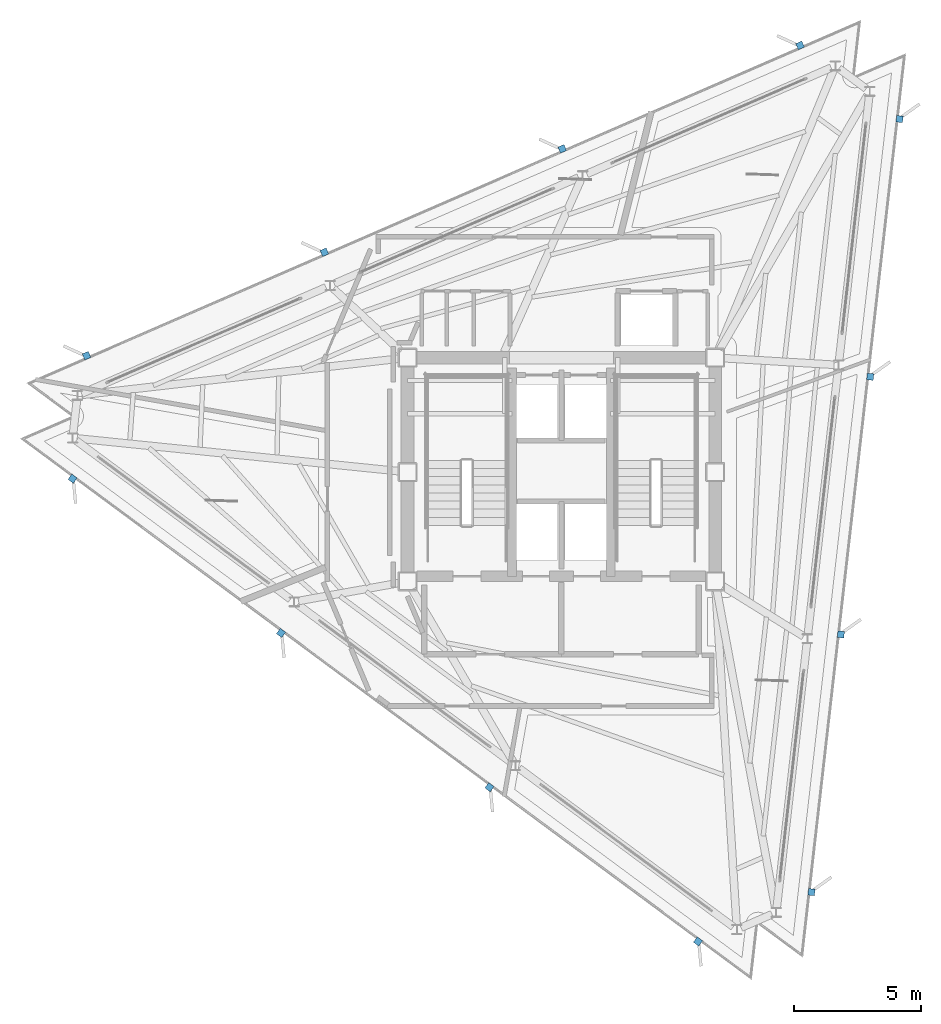
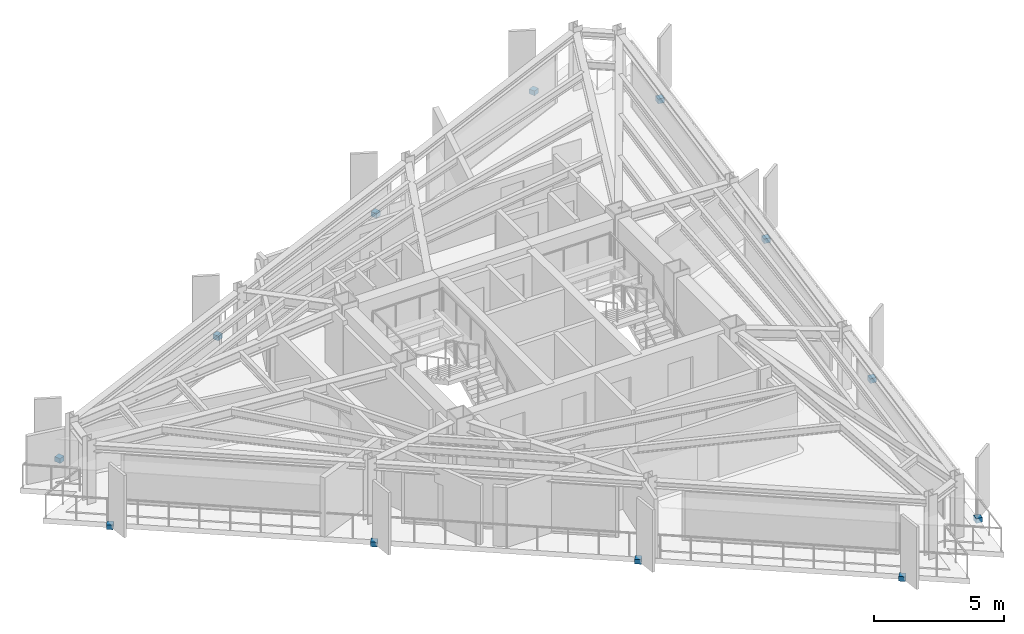
# One storey, part 7 of 10: 12 discrete accessories.
"""IFC4 building model written with IfcOpenShell, lengths in metres."""

from ifc_helpers import new_model, si_unit, direction, frame, origin, origin_2d, place, context, subcontext, project, spatial, rectangle, extrude, material, layer, layer_set, type_object, element, save


model = new_model("IFC4")

# Units and contexts
model_context = context("Model", 3, precision=1e-05, world=origin(), true_north=direction((0.0, 1.0)))
body_context = subcontext(model_context, "Body", "Model", "MODEL_VIEW")
ifc_project = project(units=[si_unit("LENGTHUNIT", "METRE"), si_unit("AREAUNIT", "SQUARE_METRE"), si_unit("VOLUMEUNIT", "CUBIC_METRE"), si_unit("PLANEANGLEUNIT", "RADIAN"), si_unit("MASSUNIT", "GRAM", prefix="KILO")], contexts=[model_context])

# Site, building, storey
site_placement = place(None, origin())
site = spatial("IfcSite", under=ifc_project, at=site_placement, CompositionType="ELEMENT")
building_placement = place(site_placement, origin())
building = spatial("IfcBuilding", under=site, at=building_placement, Name="Rocaltana Carrier Exchange", CompositionType="ELEMENT")
storey_placement = place(building_placement, frame((0.0, 0.0, 217.919921875)))
storey = spatial("IfcBuildingStorey", under=building, at=storey_placement, Name="L69", CompositionType="ELEMENT", Elevation=217.919921875)

# Discrete accessories
ifc_material = material(Name="Brushed Architectural Stainless Metal", Category="steel")
ifc_layer = layer(ifc_material, 0.219970703125)
ifc_layer_set = layer_set([ifc_layer], Name="Brushed Architectural Stainless Metal")
discrete_accessory_type = type_object("IfcDiscreteAccessoryType", Name="Stainless Fin Slab-Edge Bracket 260x260x220", PredefinedType="BRACKET", material=ifc_layer_set)
for number, where, z_axis, x_axis, name in (
    (1, (9.837890625, -16.52001953125, -0.2099609375), (0.0, 0.0, 1.0), (0.113203213768, 0.993571855677, 0.0), "L69 Sandstone Fin Edge Bracket F1-01"),
    (2, (10.992431640625, -6.385498046875, -0.2099609375), (0.0, 0.0, 1.0), (0.113203213768, 0.993571855677, 0.0), "L69 Sandstone Fin Edge Bracket F1-02"),
    (3, (12.147216796875, 3.7490234375, -0.2099609375), (0.0, 0.0, 1.0), (0.113203213768, 0.993571855677, 0.0), "L69 Sandstone Fin Edge Bracket F1-03"),
    (4, (13.302001953125, 13.88330078125, -0.2099609375), (0.0, 0.0, 1.0), (0.113203213768, 0.993571855677, 0.0), "L69 Sandstone Fin Edge Bracket F1-04"),
    (5, (9.3876953125, 16.77978515625, -0.2099609375), (0.0, 0.0, 1.0), (-0.917060074385, -0.398749068925, 0.0), "L69 Sandstone Fin Edge Bracket F2-01"),
    (6, (0.03369140625, 12.71240234375, -0.2099609375), (0.0, 0.0, 1.0), (-0.917060074385, -0.398749068925, 0.0), "L69 Sandstone Fin Edge Bracket F2-02"),
    (7, (-9.3203125, 8.645263671875, -0.2099609375), (0.0, 0.0, 1.0), (-0.917060074385, -0.398749068925, 0.0), "L69 Sandstone Fin Edge Bracket F2-03"),
    (8, (-18.67431640625, 4.578125, -0.2099609375), (0.0, 0.0, 1.0), (-0.917060074385, -0.398749068925, 0.0), "L69 Sandstone Fin Edge Bracket F2-04"),
    (9, (-19.2255859375, -0.260009765625, -0.2099609375), (0.0, 0.0, 1.0), (0.803856860617, -0.594822786751, 0.0), "L69 Sandstone Fin Edge Bracket F3-01"),
    (10, (-11.026123046875, -6.3271484375, -0.2099609375), (0.0, 0.0, 1.0), (0.803856860617, -0.594822786751, 0.0), "L69 Sandstone Fin Edge Bracket F3-02"),
    (11, (-2.826904296875, -12.394287109375, -0.2099609375), (0.0, 0.0, 1.0), (0.803856860617, -0.594822786751, 0.0), "L69 Sandstone Fin Edge Bracket F3-03"),
    (12, (5.37255859375, -18.46142578125, -0.2099609375), (0.0, 0.0, 1.0), (0.803856860617, -0.594822786751, 0.0), "L69 Sandstone Fin Edge Bracket F3-04"),
):
    element("IfcDiscreteAccessory", number, at=place(storey_placement, frame(where, z_axis=z_axis, x_axis=x_axis)), inside=storey, type_object=discrete_accessory_type, Name=name, PredefinedType="BRACKET", context=body_context, shape_type="SweptSolid", body=[
        extrude(rectangle(XDim=0.260009765625, YDim=0.260009765625, at=origin_2d()), origin(), (0.0, 0.0, 1.0), 0.219970703125),
    ])

save(model, "model.ifc")
